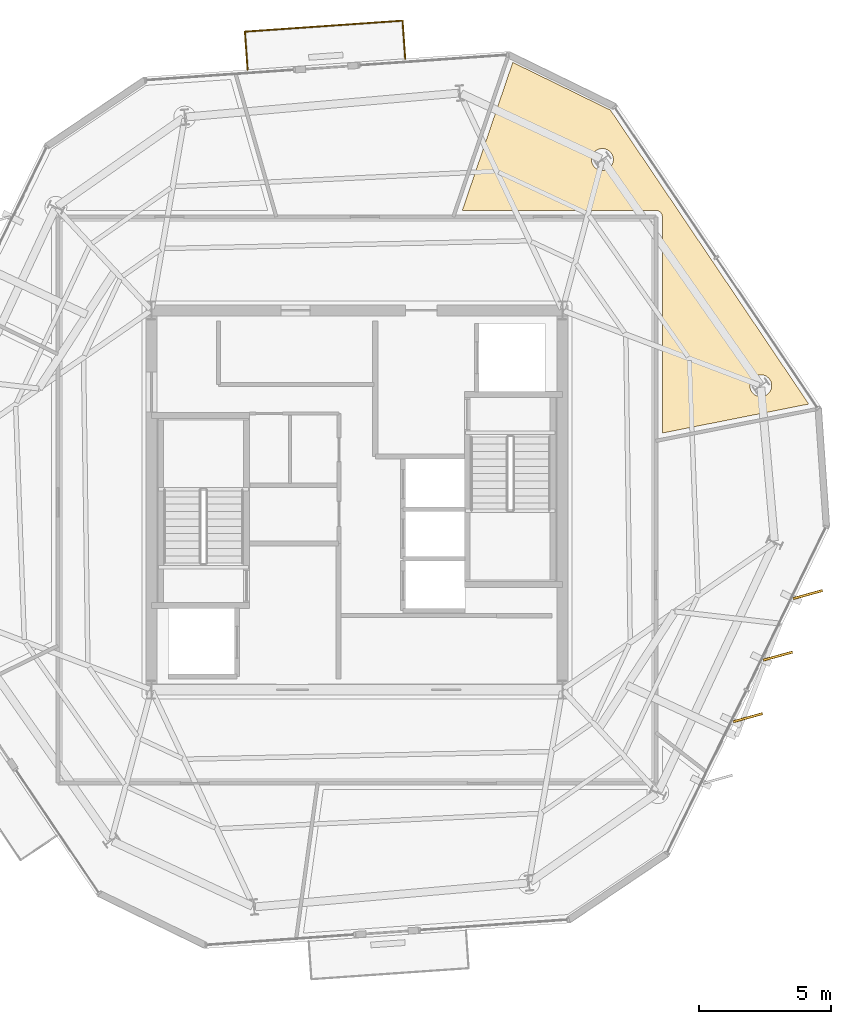
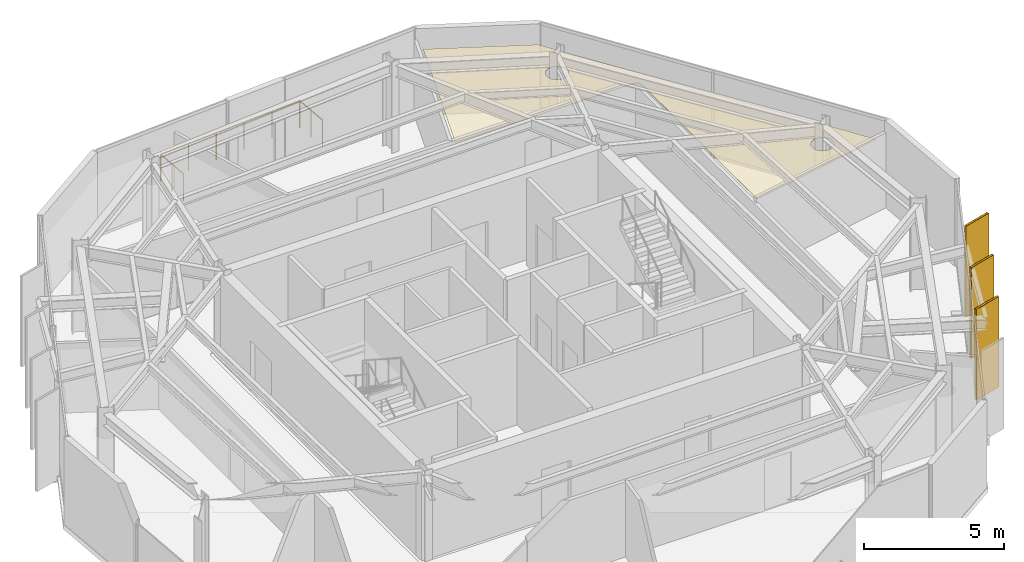
# One storey, part 13 of 13: 4 coverings, 3 shading devices, 1 railing.
"""IFC4 building model written with IfcOpenShell, lengths in metres."""

from ifc_helpers import new_model, si_unit, direction, frame, origin, origin_2d, place, context, subcontext, project, spatial, polyline, rectangle, circle, outline, extrude, material, layer, layer_set, type_object, element, save


model = new_model("IFC4")

# Units and contexts
model_context = context("Model", 3, precision=1e-05, world=origin(), true_north=direction((0.0, 1.0)))
body_context = subcontext(model_context, "Body", "Model", "MODEL_VIEW")
ifc_project = project(units=[si_unit("LENGTHUNIT", "METRE"), si_unit("AREAUNIT", "SQUARE_METRE"), si_unit("VOLUMEUNIT", "CUBIC_METRE"), si_unit("PLANEANGLEUNIT", "RADIAN"), si_unit("MASSUNIT", "GRAM", prefix="KILO")], contexts=[model_context])

# Site, building, storey
site_placement = place(None, origin())
site = spatial("IfcSite", under=ifc_project, at=site_placement, CompositionType="ELEMENT")
building_placement = place(site_placement, origin())
building = spatial("IfcBuilding", under=site, at=building_placement, Name="Kranzbogen Civic Tower", CompositionType="ELEMENT")
storey_placement = place(building_placement, frame((0.0, 0.0, 282.199951171875)))
storey = spatial("IfcBuildingStorey", under=building, at=storey_placement, Name="L68", CompositionType="ELEMENT", Elevation=282.199951171875)

# Coverings
ifc_material_1 = material(Name="Pale Anodised Aluminium", Category="aluminium")
ifc_layer_1 = layer(ifc_material_1, 0.02490234375, Name="Pale Anodised Aluminium")
ifc_layer_set_1 = layer_set([ifc_layer_1], Name="Pale Anodised Aluminium")
covering_type_1 = type_object("IfcCoveringType", Name="Anodised Aluminium Vertical Fin Cladding 25 mm", PredefinedType="CLADDING", material=ifc_layer_set_1)
for number, where, z_axis, x_axis, name in (
    (1, (39.844970703125, 16.737060546875, -0.139892578125), (0.0, 0.0, 1.0), (0.963979441748, 0.265976758172, 0.0), "L68 vertical fin pale-metal cladding F5-2"),
    (2, (40.98388671875, 19.073974609375, -0.139892578125), (0.0, 0.0, 1.0), (0.963979441748, 0.265976758172, 0.0), "L68 vertical fin pale-metal cladding F5-3"),
    (3, (42.1240234375, 21.410888671875, -0.139892578125), (0.0, 0.0, 1.0), (0.963979441748, 0.265976758172, 0.0), "L68 vertical fin pale-metal cladding F5-4"),
):
    element("IfcCovering", number, at=place(storey_placement, frame(where, z_axis=z_axis, x_axis=x_axis)), inside=storey, type_object=covering_type_1, Name=name, PredefinedType="CLADDING", context=body_context, shape_type="SweptSolid", body=[
        extrude(rectangle(XDim=1.14990234375, YDim=0.094970703125, at=origin_2d()), origin(), (0.0, 0.0, 1.0), 3.9599609375),
    ])

# Railing
ifc_material_2 = material(Name="Anodised Bronze Aluminium", Category="aluminium")
railing_type = type_object("IfcRailingType", Name="Cantilevered Balcony Glass and Bronze Balustrade 1200", PredefinedType="BALUSTRADE", material=ifc_material_2)
railing_placement = place(storey_placement, frame((26.8359375, 41.751953125, 0.0)))
element("IfcRailing", 4, at=railing_placement, inside=storey, type_object=railing_type, Name="L68 exterior terrace balustrade L68-TB2", PredefinedType="BALUSTRADE", context=body_context, shape_type="SweptSolid", body=[
    extrude(circle(Radius=0.02392578125, at=origin_2d()), frame((0.0, 0.0, 1.17578125), z_axis=(-0.069559284056, 0.997577819522, 0.0), x_axis=(-0.997577819522, -0.069559284056, 0.0)), (0.0, 0.0, 1.0), 1.449462890625),
    extrude(circle(Radius=0.02392578125, at=origin_2d()), frame((-0.100830078125, 1.446044921875, 1.17578125), z_axis=(-0.997570433661, -0.069665126756, 0.0), x_axis=(0.069665126756, -0.997570433661, 0.0)), (0.0, 0.0, 1.0), 5.999755859375),
    extrude(circle(Radius=0.02392578125, at=origin_2d()), frame((-6.0859375, 1.028076171875, 1.17578125), z_axis=(0.069726890604, -0.997566118474, 0.0), x_axis=(0.997566118474, 0.069726890604, 0.0)), (0.0, 0.0, 1.0), 1.449462890625),
    extrude(circle(Radius=0.02099609375, at=origin_2d()), origin(), (0.0, 0.0, 1.0), 1.15185546875),
    extrude(circle(Radius=0.02099609375, at=origin_2d()), frame((-0.05029296875, 0.72314453125, 0.0)), (0.0, 0.0, 1.0), 1.15185546875),
    extrude(circle(Radius=0.02099609375, at=origin_2d()), frame((-0.100830078125, 1.446044921875, 0.0)), (0.0, 0.0, 1.0), 1.15185546875),
    extrude(circle(Radius=0.02099609375, at=origin_2d()), frame((-1.2978515625, 1.362548828125, 0.0)), (0.0, 0.0, 1.0), 1.15185546875),
    extrude(circle(Radius=0.02099609375, at=origin_2d()), frame((-2.494873046875, 1.27880859375, 0.0)), (0.0, 0.0, 1.0), 1.15185546875),
    extrude(circle(Radius=0.02099609375, at=origin_2d()), frame((-3.69189453125, 1.1953125, 0.0)), (0.0, 0.0, 1.0), 1.15185546875),
    extrude(circle(Radius=0.02099609375, at=origin_2d()), frame((-4.888916015625, 1.111572265625, 0.0)), (0.0, 0.0, 1.0), 1.15185546875),
    extrude(circle(Radius=0.02099609375, at=origin_2d()), frame((-6.0859375, 1.028076171875, 0.0)), (0.0, 0.0, 1.0), 1.15185546875),
    extrude(circle(Radius=0.02099609375, at=origin_2d()), frame((-6.035400390625, 0.30517578125, 0.0)), (0.0, 0.0, 1.0), 1.15185546875),
    extrude(circle(Radius=0.02099609375, at=origin_2d()), frame((-5.98486328125, -0.41796875, 0.0)), (0.0, 0.0, 1.0), 1.15185546875),
])

# Shading devices
shading_device_type = type_object("IfcShadingDeviceType", Name="Pale Anodised Aluminium Crown Fin 1150x75", PredefinedType="USERDEFINED", material=ifc_material_1)
for number, where, z_axis, x_axis, name in (
    (5, (39.844970703125, 16.737060546875, -0.139892578125), (0.0, 0.0, 1.0), (0.963979441748, 0.265976758172, 0.0), "L68 vertical exterior shading fin F5-2"),
    (6, (40.98388671875, 19.073974609375, -0.139892578125), (0.0, 0.0, 1.0), (0.963979441748, 0.265976758172, 0.0), "L68 vertical exterior shading fin F5-3"),
    (7, (42.1240234375, 21.410888671875, -0.139892578125), (0.0, 0.0, 1.0), (0.963979441748, 0.265976758172, 0.0), "L68 vertical exterior shading fin F5-4"),
):
    element("IfcShadingDevice", number, at=place(storey_placement, frame(where, z_axis=z_axis, x_axis=x_axis)), inside=storey, type_object=shading_device_type, Name=name, ObjectType="FIN", PredefinedType="USERDEFINED", context=body_context, shape_type="SweptSolid", body=[
        extrude(rectangle(XDim=1.14990234375, YDim=0.074951171875, at=origin_2d()), origin(), (0.0, 0.0, 1.0), 3.9599609375),
    ])

# Covering
ifc_material_3 = material(Name="Perforated Acoustic Gypsum Ceiling")
ifc_layer_2 = layer(ifc_material_3, 0.02490234375, Name="Perforated Acoustic Gypsum Ceiling")
ifc_layer_set_2 = layer_set([ifc_layer_2], Name="Perforated Acoustic Gypsum Ceiling")
covering_type_2 = type_object("IfcCoveringType", Name="Perforated Acoustic Mineral Ceiling Tile 25 mm", PredefinedType="CEILING", material=ifc_layer_set_2)
covering_placement = place(storey_placement, frame((0.0, 0.0, 2.900146484375)))
element("IfcCovering", 8, at=covering_placement, inside=storey, type_object=covering_type_2, Name="L68 Hospitality Catering Kitchen acoustic ceiling", PredefinedType="CEILING", context=body_context, shape_type="SweptSolid", body=[
    extrude(outline(polyline([(36.594970703125, 27.5419921875), (36.594970703125, 35.75), (36.594970703125, 35.759033203125), (36.593994140625, 35.764892578125), (36.593017578125, 35.782958984375), (36.592041015625, 35.7890625), (36.587890625, 35.805908203125), (36.5869140625, 35.81298828125), (36.58203125, 35.830078125), (36.580078125, 35.8359375), (36.572998046875, 35.85205078125), (36.570068359375, 35.85791015625), (36.56201171875, 35.873046875), (36.55810546875, 35.87890625), (36.549072265625, 35.89306640625), (36.544921875, 35.89794921875), (36.533935546875, 35.912109375), (36.529052734375, 35.9169921875), (36.51708984375, 35.928955078125), (36.511962890625, 35.93408203125), (36.498046875, 35.945068359375), (36.492919921875, 35.948974609375), (36.47900390625, 35.9580078125), (36.472900390625, 35.9619140625), (36.4580078125, 35.969970703125), (36.451904296875, 35.972900390625), (36.43603515625, 35.97998046875), (36.429931640625, 35.98193359375), (36.4130859375, 35.987060546875), (36.406005859375, 35.988037109375), (36.388916015625, 35.991943359375), (36.383056640625, 35.992919921875), (36.364990234375, 35.993896484375), (36.35888671875, 35.9951171875), (36.35009765625, 35.9951171875), (29.0048828125, 35.9951171875), (30.9189453125, 41.612060546875), (34.6259765625, 39.802978515625), (42.155029296875, 28.64208984375), (36.594970703125, 27.5419921875)]), holes=[polyline([(40.718017578125, 29.179931640625), (40.699951171875, 29.14306640625), (40.678955078125, 29.10791015625), (40.655029296875, 29.074951171875), (40.6279296875, 29.044921875), (40.597900390625, 29.01806640625), (40.56494140625, 28.993896484375), (40.530029296875, 28.972900390625), (40.492919921875, 28.955078125), (40.455078125, 28.94091796875), (40.4150390625, 28.931884765625), (40.375, 28.926025390625), (40.333984375, 28.924072265625), (40.29296875, 28.926025390625), (40.2529296875, 28.931884765625), (40.212890625, 28.94091796875), (40.175048828125, 28.955078125), (40.137939453125, 28.972900390625), (40.10302734375, 28.993896484375), (40.070068359375, 29.01806640625), (40.0400390625, 29.044921875), (40.012939453125, 29.074951171875), (39.989013671875, 29.10791015625), (39.968017578125, 29.14306640625), (39.949951171875, 29.179931640625), (39.93603515625, 29.218017578125), (39.927001953125, 29.258056640625), (39.9208984375, 29.298095703125), (39.9189453125, 29.339111328125), (39.9208984375, 29.3798828125), (39.927001953125, 29.419921875), (39.93603515625, 29.4599609375), (39.949951171875, 29.498046875), (39.968017578125, 29.534912109375), (39.989013671875, 29.570068359375), (40.012939453125, 29.60302734375), (40.0400390625, 29.633056640625), (40.070068359375, 29.659912109375), (40.10302734375, 29.68408203125), (40.137939453125, 29.705078125), (40.175048828125, 29.722900390625), (40.212890625, 29.737060546875), (40.2529296875, 29.74609375), (40.29296875, 29.751953125), (40.333984375, 29.75390625), (40.375, 29.751953125), (40.4150390625, 29.74609375), (40.455078125, 29.737060546875), (40.492919921875, 29.722900390625), (40.530029296875, 29.705078125), (40.56494140625, 29.68408203125), (40.597900390625, 29.659912109375), (40.6279296875, 29.633056640625), (40.655029296875, 29.60302734375), (40.678955078125, 29.570068359375), (40.699951171875, 29.534912109375), (40.718017578125, 29.498046875), (40.73193359375, 29.4599609375), (40.740966796875, 29.419921875), (40.7470703125, 29.3798828125), (40.7490234375, 29.339111328125), (40.7470703125, 29.298095703125), (40.740966796875, 29.258056640625), (40.73193359375, 29.218017578125), (40.718017578125, 29.179931640625)]), polyline([(34.7060546875, 37.76708984375), (34.68798828125, 37.72998046875), (34.6669921875, 37.695068359375), (34.64306640625, 37.662109375), (34.615966796875, 37.632080078125), (34.5859375, 37.60498046875), (34.552978515625, 37.5810546875), (34.51806640625, 37.56005859375), (34.48095703125, 37.5419921875), (34.443115234375, 37.528076171875), (34.403076171875, 37.51904296875), (34.363037109375, 37.512939453125), (34.322021484375, 37.510986328125), (34.281005859375, 37.512939453125), (34.240966796875, 37.51904296875), (34.200927734375, 37.528076171875), (34.1630859375, 37.5419921875), (34.1259765625, 37.56005859375), (34.091064453125, 37.5810546875), (34.05810546875, 37.60498046875), (34.028076171875, 37.632080078125), (34.0009765625, 37.662109375), (33.97705078125, 37.695068359375), (33.9560546875, 37.72998046875), (33.93798828125, 37.76708984375), (33.924072265625, 37.804931640625), (33.9150390625, 37.844970703125), (33.908935546875, 37.885009765625), (33.906982421875, 37.926025390625), (33.908935546875, 37.967041015625), (33.9150390625, 38.007080078125), (33.924072265625, 38.047119140625), (33.93798828125, 38.0849609375), (33.9560546875, 38.1220703125), (33.97705078125, 38.156982421875), (34.0009765625, 38.18994140625), (34.028076171875, 38.219970703125), (34.05810546875, 38.2470703125), (34.091064453125, 38.27099609375), (34.1259765625, 38.2919921875), (34.1630859375, 38.31005859375), (34.200927734375, 38.323974609375), (34.240966796875, 38.3330078125), (34.281005859375, 38.339111328125), (34.322021484375, 38.341064453125), (34.363037109375, 38.339111328125), (34.403076171875, 38.3330078125), (34.443115234375, 38.323974609375), (34.48095703125, 38.31005859375), (34.51806640625, 38.2919921875), (34.552978515625, 38.27099609375), (34.5859375, 38.2470703125), (34.615966796875, 38.219970703125), (34.64306640625, 38.18994140625), (34.6669921875, 38.156982421875), (34.68798828125, 38.1220703125), (34.7060546875, 38.0849609375), (34.719970703125, 38.047119140625), (34.72900390625, 38.007080078125), (34.735107421875, 37.967041015625), (34.737060546875, 37.926025390625), (34.735107421875, 37.885009765625), (34.72900390625, 37.844970703125), (34.719970703125, 37.804931640625), (34.7060546875, 37.76708984375)])]), origin(), (0.0, 0.0, 1.0), 0.02490234375),
])

save(model, "model.ifc")
